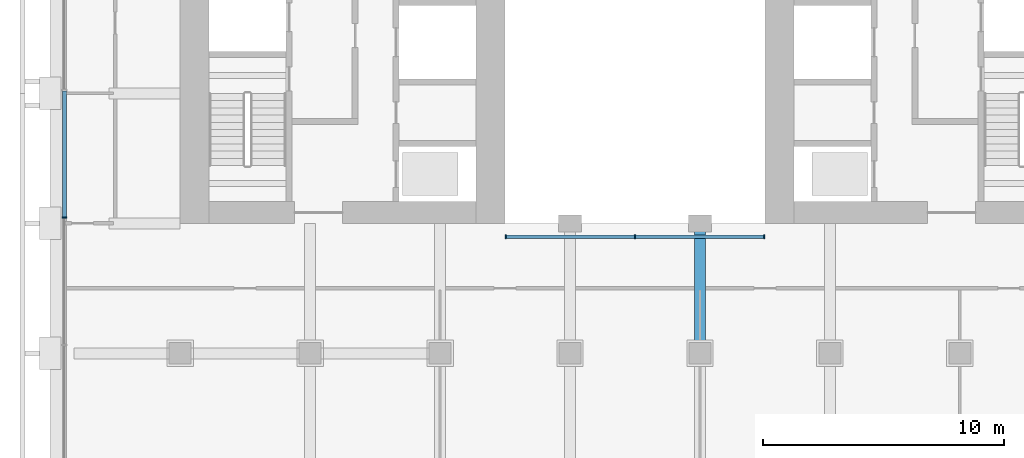
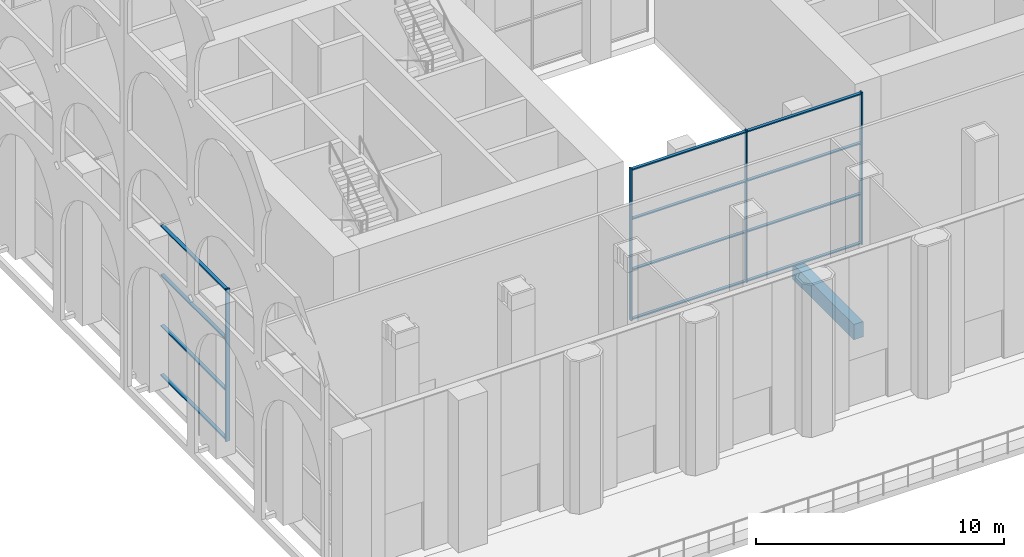
# One storey, part 3 of 20: 16 members, 1 beam, 2 elements without a shape of their own.
"""IFC4 building model written with IfcOpenShell, lengths in metres."""

from ifc_helpers import new_model, si_unit, direction, frame, origin, origin_2d, place, context, subcontext, project, spatial, rectangle, extrude, material, material_profile, profile_set, type_object, element, aggregate, save


model = new_model("IFC4")

# Units and contexts
model_context = context("Model", 3, precision=1e-05, world=origin(), true_north=direction((0.0, 1.0)))
body_context = subcontext(model_context, "Body", "Model", "MODEL_VIEW")
ifc_project = project(units=[si_unit("LENGTHUNIT", "METRE"), si_unit("AREAUNIT", "SQUARE_METRE"), si_unit("VOLUMEUNIT", "CUBIC_METRE"), si_unit("PLANEANGLEUNIT", "RADIAN"), si_unit("MASSUNIT", "GRAM", prefix="KILO")], contexts=[model_context])

# Site, building, storey
site_placement = place(None, origin())
site = spatial("IfcSite", under=ifc_project, at=site_placement, CompositionType="ELEMENT")
building_placement = place(site_placement, origin())
building = spatial("IfcBuilding", under=site, at=building_placement, Name="Tabaq Tower and Sports Hall", CompositionType="ELEMENT")
storey_placement = place(building_placement, frame((0.0, 0.0, 130.60009765625)))
storey = spatial("IfcBuildingStorey", under=building, at=storey_placement, Name="L31", CompositionType="ELEMENT", Elevation=130.60009765625)

# Curtain wall, members
ifc_material_1 = material(Name="Aluminium alloy 6063-T6 framed glazing", Category="aluminium")
curtain_wall_type_1 = type_object("IfcCurtainWallType", Name="CW1 curtain wall", PredefinedType="USERDEFINED", material=ifc_material_1)
curtain_wall_1_placement = place(storey_placement, origin())
curtain_wall_1 = element("IfcCurtainWall", 1, at=curtain_wall_1_placement, inside=storey, type_object=curtain_wall_type_1, Name="Atrium glazing L31 S", ObjectType="ATRIUM ENCLOSURE", PredefinedType="USERDEFINED")
ifc_material_2 = material(Name="Aluminium alloy 6063-T6", Category="aluminium")
ifc_material_profile_1 = material_profile(ifc_material_2, rectangle(XDim=0.159912109375, YDim=0.06005859375, at=origin_2d()), Name="MULLION 160x60")
ifc_profile_set_1 = profile_set([ifc_material_profile_1], Name="Aluminium alloy 6063-T6")
member_type_1 = type_object("IfcMemberType", Name="CW1 mullion 160x60", PredefinedType="MULLION", material=ifc_profile_set_1)
member_1_placement = place(storey_placement, frame((18.929931640625, 15.64990234375, 0.0), z_axis=(0.0, 0.0, 1.0), x_axis=(0.0, 1.0, 0.0)))
member_1 = element("IfcMember", 2, at=member_1_placement, type_object=member_type_1, Name="CW1 mullion 1", PredefinedType="MULLION", context=body_context, shape_type="SweptSolid", body=[
    extrude(rectangle(XDim=0.159912109375, YDim=0.06005859375, at=origin_2d()), origin(), (0.0, 0.0, 1.0), 7.5),
])
member_2_placement = place(storey_placement, frame((24.300048828125, 15.64990234375, 0.0), z_axis=(0.0, 0.0, 1.0), x_axis=(0.0, 1.0, 0.0)))
member_2 = element("IfcMember", 3, at=member_2_placement, type_object=member_type_1, Name="CW1 mullion 2", PredefinedType="MULLION", context=body_context, shape_type="SweptSolid", body=[
    extrude(rectangle(XDim=0.159912109375, YDim=0.06005859375, at=origin_2d()), origin(), (0.0, 0.0, 1.0), 7.5),
])
member_3_placement = place(storey_placement, frame((29.669921875, 15.64990234375, 0.0), z_axis=(0.0, 0.0, 1.0), x_axis=(0.0, 1.0, 0.0)))
member_3 = element("IfcMember", 4, at=member_3_placement, type_object=member_type_1, Name="CW1 mullion 3", PredefinedType="MULLION", context=body_context, shape_type="SweptSolid", body=[
    extrude(rectangle(XDim=0.159912109375, YDim=0.06005859375, at=origin_2d()), origin(), (0.0, 0.0, 1.0), 7.5),
])
ifc_material_3 = material(Name="Aluminium alloy 6063-T6", Category="aluminium")
ifc_material_profile_2 = material_profile(ifc_material_3, rectangle(XDim=0.139892578125, YDim=0.06005859375, at=origin_2d()), Name="TRANSOM 140x60")
ifc_profile_set_2 = profile_set([ifc_material_profile_2], Name="Aluminium alloy 6063-T6")
member_type_2 = type_object("IfcMemberType", Name="CW1 transom 140x60", PredefinedType="USERDEFINED", material=ifc_profile_set_2)
member_4_placement = place(storey_placement, frame((18.9599609375, 15.64990234375, 0.06982421875), z_axis=(1.0, 0.0, 0.0), x_axis=(0.0, 1.0, 0.0)))
member_4 = element("IfcMember", 5, at=member_4_placement, type_object=member_type_2, Name="CW1 transom 1.1", ObjectType="TRANSOM", PredefinedType="USERDEFINED", context=body_context, shape_type="SweptSolid", body=[
    extrude(rectangle(XDim=0.139892578125, YDim=0.06005859375, at=origin_2d()), origin(), (0.0, 0.0, 1.0), 5.31005859375),
])
member_5_placement = place(storey_placement, frame((18.9599609375, 15.64990234375, 2.5), z_axis=(1.0, 0.0, 0.0), x_axis=(0.0, 1.0, 0.0)))
member_5 = element("IfcMember", 6, at=member_5_placement, type_object=member_type_2, Name="CW1 transom 1.2", ObjectType="TRANSOM", PredefinedType="USERDEFINED", context=body_context, shape_type="SweptSolid", body=[
    extrude(rectangle(XDim=0.139892578125, YDim=0.06005859375, at=origin_2d()), origin(), (0.0, 0.0, 1.0), 5.31005859375),
])
member_6_placement = place(storey_placement, frame((18.9599609375, 15.64990234375, 5.0), z_axis=(1.0, 0.0, 0.0), x_axis=(0.0, 1.0, 0.0)))
member_6 = element("IfcMember", 7, at=member_6_placement, type_object=member_type_2, Name="CW1 transom 1.3", ObjectType="TRANSOM", PredefinedType="USERDEFINED", context=body_context, shape_type="SweptSolid", body=[
    extrude(rectangle(XDim=0.139892578125, YDim=0.06005859375, at=origin_2d()), origin(), (0.0, 0.0, 1.0), 5.31005859375),
])
member_7_placement = place(storey_placement, frame((18.9599609375, 15.64990234375, 7.429931640625), z_axis=(1.0, 0.0, 0.0), x_axis=(0.0, 1.0, 0.0)))
member_7 = element("IfcMember", 8, at=member_7_placement, type_object=member_type_2, Name="CW1 transom 1.4", ObjectType="TRANSOM", PredefinedType="USERDEFINED", context=body_context, shape_type="SweptSolid", body=[
    extrude(rectangle(XDim=0.139892578125, YDim=0.06005859375, at=origin_2d()), origin(), (0.0, 0.0, 1.0), 5.31005859375),
])
member_8_placement = place(storey_placement, frame((24.330078125, 15.64990234375, 0.06982421875), z_axis=(1.0, 0.0, 0.0), x_axis=(0.0, 1.0, 0.0)))
member_8 = element("IfcMember", 9, at=member_8_placement, type_object=member_type_2, Name="CW1 transom 2.1", ObjectType="TRANSOM", PredefinedType="USERDEFINED", context=body_context, shape_type="SweptSolid", body=[
    extrude(rectangle(XDim=0.139892578125, YDim=0.06005859375, at=origin_2d()), origin(), (0.0, 0.0, 1.0), 5.309814453125),
])
member_9_placement = place(storey_placement, frame((24.330078125, 15.64990234375, 2.5), z_axis=(1.0, 0.0, 0.0), x_axis=(0.0, 1.0, 0.0)))
member_9 = element("IfcMember", 10, at=member_9_placement, type_object=member_type_2, Name="CW1 transom 2.2", ObjectType="TRANSOM", PredefinedType="USERDEFINED", context=body_context, shape_type="SweptSolid", body=[
    extrude(rectangle(XDim=0.139892578125, YDim=0.06005859375, at=origin_2d()), origin(), (0.0, 0.0, 1.0), 5.309814453125),
])
member_10_placement = place(storey_placement, frame((24.330078125, 15.64990234375, 5.0), z_axis=(1.0, 0.0, 0.0), x_axis=(0.0, 1.0, 0.0)))
member_10 = element("IfcMember", 11, at=member_10_placement, type_object=member_type_2, Name="CW1 transom 2.3", ObjectType="TRANSOM", PredefinedType="USERDEFINED", context=body_context, shape_type="SweptSolid", body=[
    extrude(rectangle(XDim=0.139892578125, YDim=0.06005859375, at=origin_2d()), origin(), (0.0, 0.0, 1.0), 5.309814453125),
])
member_11_placement = place(storey_placement, frame((24.330078125, 15.64990234375, 7.429931640625), z_axis=(1.0, 0.0, 0.0), x_axis=(0.0, 1.0, 0.0)))
member_11 = element("IfcMember", 12, at=member_11_placement, type_object=member_type_2, Name="CW1 transom 2.4", ObjectType="TRANSOM", PredefinedType="USERDEFINED", context=body_context, shape_type="SweptSolid", body=[
    extrude(rectangle(XDim=0.139892578125, YDim=0.06005859375, at=origin_2d()), origin(), (0.0, 0.0, 1.0), 5.309814453125),
])
aggregate(curtain_wall_1, [member_1, member_2, member_3, member_4, member_5, member_6, member_7, member_8, member_9, member_10, member_11])

ifc_material_4 = material(Name="Aluminium alloy 6063-T6 framed glazing", Category="aluminium")
curtain_wall_type_2 = type_object("IfcCurtainWallType", Name="CW2 curtain wall", PredefinedType="USERDEFINED", material=ifc_material_4)
curtain_wall_2_placement = place(storey_placement, origin())
curtain_wall_2 = element("IfcCurtainWall", 13, at=curtain_wall_2_placement, inside=storey, type_object=curtain_wall_type_2, Name="Sky Lobby Wall L31 W", ObjectType="SKY LOBBY WALL", PredefinedType="USERDEFINED")
ifc_material_5 = material(Name="Aluminium alloy 6063-T6", Category="aluminium")
ifc_material_profile_3 = material_profile(ifc_material_5, rectangle(XDim=0.199951171875, YDim=0.070068359375, at=origin_2d()), Name="MULLION 200x70")
ifc_profile_set_3 = profile_set([ifc_material_profile_3], Name="Aluminium alloy 6063-T6")
member_type_3 = type_object("IfcMemberType", Name="CW2 mullion 200x70", PredefinedType="MULLION", material=ifc_profile_set_3)
member_12_placement = place(storey_placement, frame((0.60009765625, 16.43798828125, 0.0), z_axis=(0.0, 0.0, 1.0), x_axis=(1.0, 0.0, 0.0)))
member_12 = element("IfcMember", 14, at=member_12_placement, type_object=member_type_3, Name="CW2 mullion 5", PredefinedType="MULLION", context=body_context, shape_type="SweptSolid", body=[
    extrude(rectangle(XDim=0.199951171875, YDim=0.070068359375, at=origin_2d()), origin(), (0.0, 0.0, 1.0), 7.5),
])
ifc_material_6 = material(Name="Aluminium alloy 6063-T6", Category="aluminium")
ifc_material_profile_4 = material_profile(ifc_material_6, rectangle(XDim=0.159912109375, YDim=0.070068359375, at=origin_2d()), Name="TRANSOM 160x70")
ifc_profile_set_4 = profile_set([ifc_material_profile_4], Name="Aluminium alloy 6063-T6")
member_type_4 = type_object("IfcMemberType", Name="CW2 transom 160x70", PredefinedType="USERDEFINED", material=ifc_profile_set_4)
member_13_placement = place(storey_placement, frame((0.60009765625, 21.69677734375, 0.079833984375), z_axis=(0.0, -1.0, 0.0), x_axis=(1.0, 0.0, 0.0)))
member_13 = element("IfcMember", 15, at=member_13_placement, type_object=member_type_4, Name="CW2 transom 4.1", ObjectType="TRANSOM", PredefinedType="USERDEFINED", context=body_context, shape_type="SweptSolid", body=[
    extrude(rectangle(XDim=0.159912109375, YDim=0.070068359375, at=origin_2d()), origin(), (0.0, 0.0, 1.0), 5.223876953125),
])
member_14_placement = place(storey_placement, frame((0.60009765625, 21.69677734375, 2.5), z_axis=(0.0, -1.0, 0.0), x_axis=(1.0, 0.0, 0.0)))
member_14 = element("IfcMember", 16, at=member_14_placement, type_object=member_type_4, Name="CW2 transom 4.2", ObjectType="TRANSOM", PredefinedType="USERDEFINED", context=body_context, shape_type="SweptSolid", body=[
    extrude(rectangle(XDim=0.159912109375, YDim=0.070068359375, at=origin_2d()), origin(), (0.0, 0.0, 1.0), 5.223876953125),
])
member_15_placement = place(storey_placement, frame((0.60009765625, 21.69677734375, 5.0), z_axis=(0.0, -1.0, 0.0), x_axis=(1.0, 0.0, 0.0)))
member_15 = element("IfcMember", 17, at=member_15_placement, type_object=member_type_4, Name="CW2 transom 4.3", ObjectType="TRANSOM", PredefinedType="USERDEFINED", context=body_context, shape_type="SweptSolid", body=[
    extrude(rectangle(XDim=0.159912109375, YDim=0.070068359375, at=origin_2d()), origin(), (0.0, 0.0, 1.0), 5.223876953125),
])
member_16_placement = place(storey_placement, frame((0.60009765625, 21.69677734375, 7.419921875), z_axis=(0.0, -1.0, 0.0), x_axis=(1.0, 0.0, 0.0)))
member_16 = element("IfcMember", 18, at=member_16_placement, type_object=member_type_4, Name="CW2 transom 4.4", ObjectType="TRANSOM", PredefinedType="USERDEFINED", context=body_context, shape_type="SweptSolid", body=[
    extrude(rectangle(XDim=0.159912109375, YDim=0.070068359375, at=origin_2d()), origin(), (0.0, 0.0, 1.0), 5.223876953125),
])
aggregate(curtain_wall_2, [member_12, member_13, member_14, member_15, member_16])

# Beam
ifc_material_7 = material(Name="Concrete C40/50", Category="concrete")
ifc_material_profile_5 = material_profile(ifc_material_7, rectangle(XDim=0.449951171875, YDim=0.75, at=origin_2d()), Name="CB 450x750")
ifc_profile_set_5 = profile_set([ifc_material_profile_5], Name="Concrete C40/50")
beam_type = type_object("IfcBeamType", Name="PT CANTILEVER BEAM CB 450x750 C40/50", PredefinedType="BEAM", material=ifc_profile_set_5)
beam_placement = place(storey_placement, frame((27.0, 11.25, -0.675048828125), z_axis=(0.0, 1.0, 0.0), x_axis=(-1.0, 0.0, 0.0)))
element("IfcBeam", 19, at=beam_placement, inside=storey, type_object=beam_type, Name="Cantilever Beam L31 S5 span 3", PredefinedType="BEAM", context=body_context, shape_type="SweptSolid", body=[
    extrude(rectangle(XDim=0.449951171875, YDim=0.75, at=origin_2d()), origin(), (0.0, 0.0, 1.0), 4.949951171875),
])

save(model, "model.ifc")
